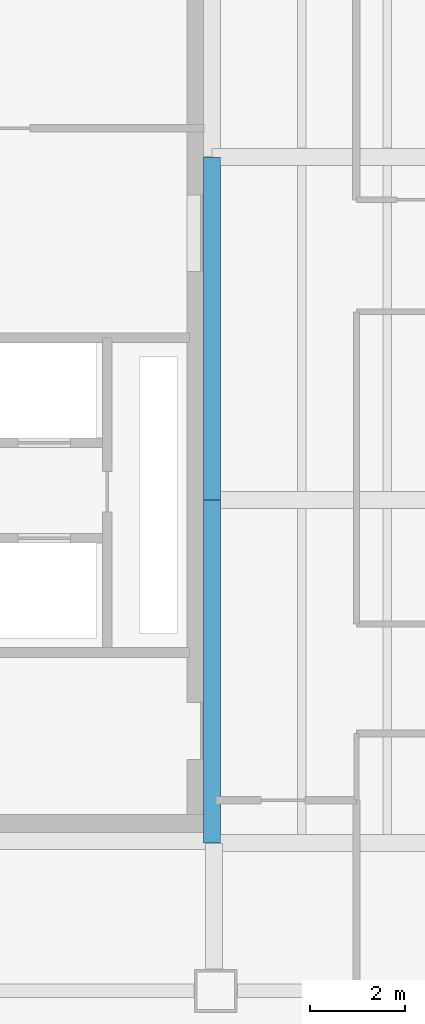
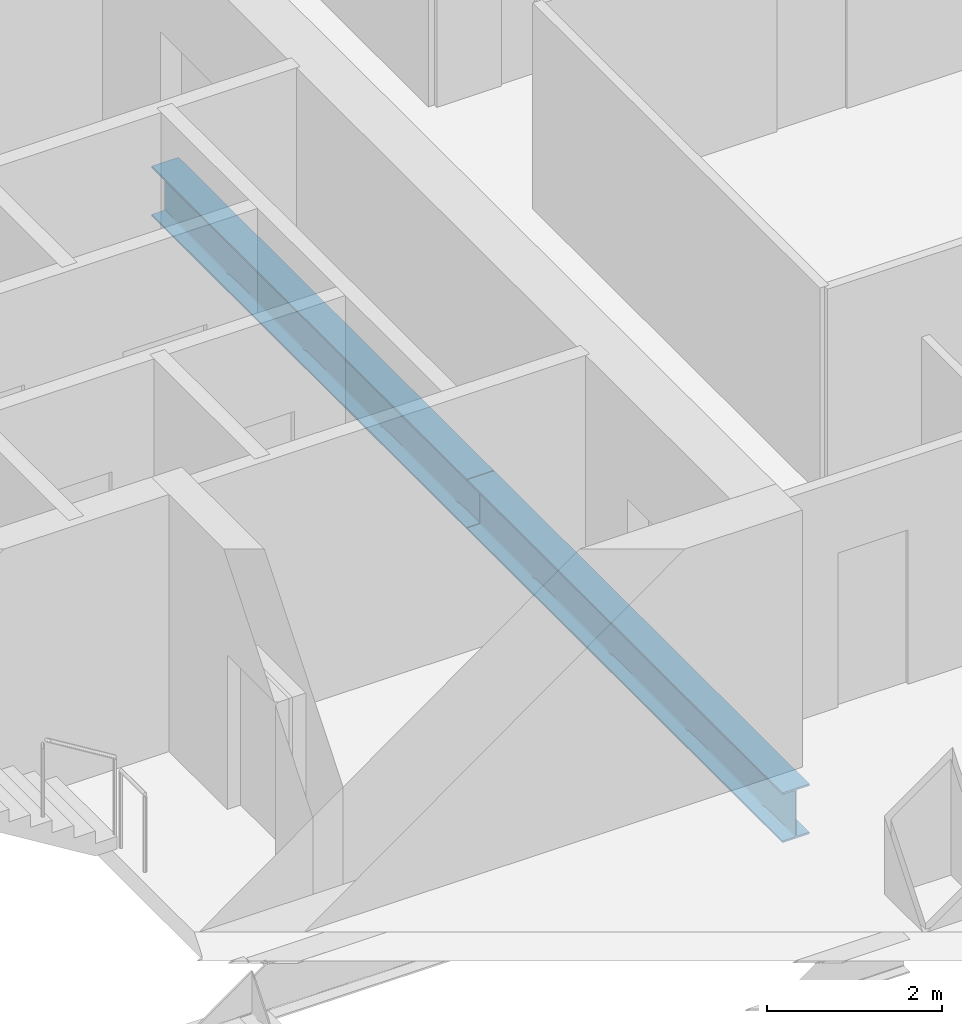
# One storey, part 3 of 23: 2 beams.
"""IFC4 building model written with IfcOpenShell, lengths in metres."""

from ifc_helpers import new_model, si_unit, direction, frame, origin, origin_2d, place, context, subcontext, project, spatial, i_section, extrude, material, material_profile, profile_set, type_object, element, save


model = new_model("IFC4")

# Units and contexts
model_context = context("Model", 3, precision=1e-05, world=origin(), true_north=direction((0.0, 1.0)))
body_context = subcontext(model_context, "Body", "Model", "MODEL_VIEW")
ifc_project = project(units=[si_unit("LENGTHUNIT", "METRE"), si_unit("AREAUNIT", "SQUARE_METRE"), si_unit("VOLUMEUNIT", "CUBIC_METRE"), si_unit("PLANEANGLEUNIT", "RADIAN"), si_unit("MASSUNIT", "GRAM", prefix="KILO")], contexts=[model_context])

# Site, building, storey
site_placement = place(None, origin())
site = spatial("IfcSite", under=ifc_project, at=site_placement, CompositionType="ELEMENT")
building_placement = place(site_placement, origin())
building = spatial("IfcBuilding", under=site, at=building_placement, Name="Cobrela Telecom Tower", CompositionType="ELEMENT")
storey_placement = place(building_placement, frame((0.0, 0.0, 140.699951171875)))
storey = spatial("IfcBuildingStorey", under=building, at=storey_placement, Name="L35", CompositionType="ELEMENT", Elevation=140.699951171875)

# Beams
ifc_material = material(Name="Steel ASTM A992 Grade 50", Category="steel")
ifc_material_profile = material_profile(ifc_material, i_section(OverallWidth=0.35595703125, OverallDepth=0.696044921875, WebThickness=0.015380859375, FlangeThickness=0.024658203125, FilletRadius=0.01806640625, at=origin_2d()), Name="W27X146")
ifc_profile_set = profile_set([ifc_material_profile], Name="Steel ASTM A992 Grade 50")
beam_type = type_object("IfcBeamType", Name="BM-GIRD-05", PredefinedType="USERDEFINED", material=ifc_profile_set)
for number, where, z_axis, x_axis, name in (
    (1, (14.320068359375, 7.205078125, -0.617919921875), (0.0, 1.0, 0.0), (-1.0, 0.0, 0.0), "L35 Primary Girder Y34"),
    (2, (14.320068359375, 14.405029296875, -0.617919921875), (0.0, 1.0, 0.0), (-1.0, 0.0, 0.0), "L35 Primary Girder Y35"),
):
    element("IfcBeam", number, at=place(storey_placement, frame(where, z_axis=z_axis, x_axis=x_axis)), inside=storey, type_object=beam_type, Name=name, ObjectType="GIRDER", PredefinedType="USERDEFINED", context=body_context, shape_type="SweptSolid", body=[
        extrude(i_section(OverallWidth=0.35595703125, OverallDepth=0.696044921875, WebThickness=0.015380859375, FlangeThickness=0.024658203125, FilletRadius=0.01806640625, at=origin_2d()), origin(), (0.0, 0.0, 1.0), 7.18994140625),
    ])

save(model, "model.ifc")
